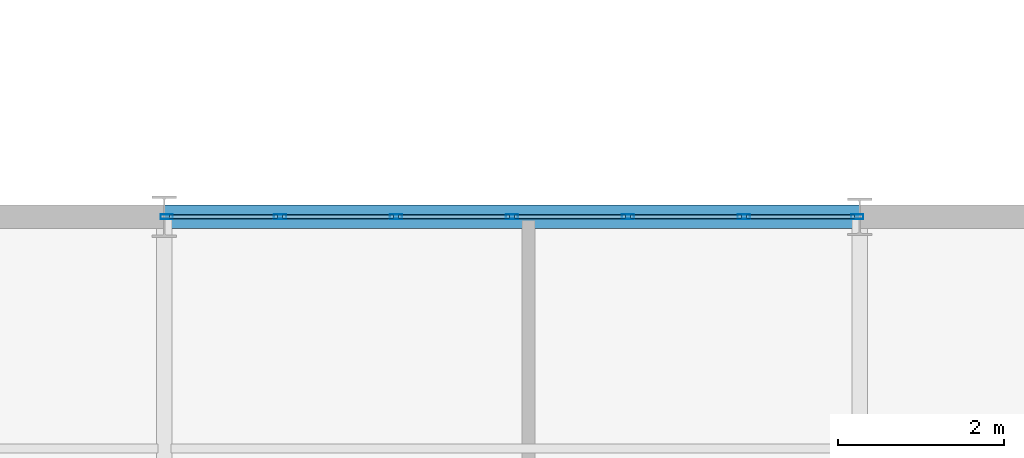
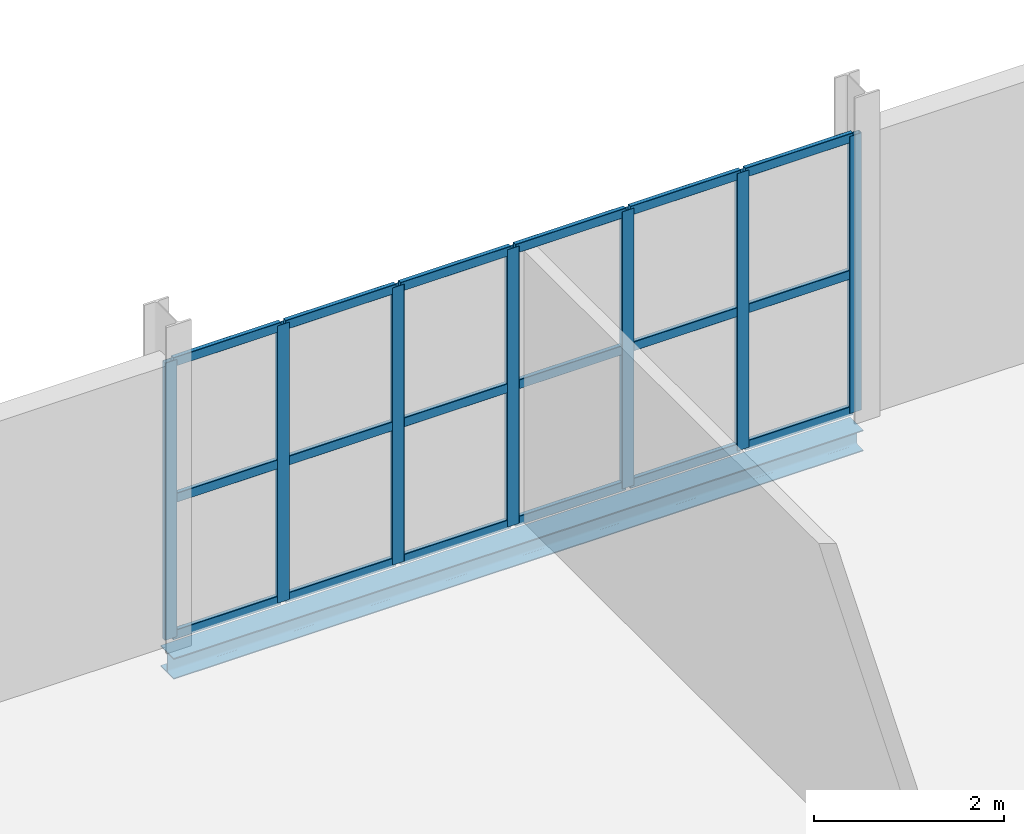
# One storey, part 29 of 65: 25 members, 1 beam, 1 element without a shape of its own.
"""IFC4 building model written with IfcOpenShell, lengths in metres."""

import ifcopenshell
import ifcopenshell.guid

model = None  # the IFC model being written
_history = None  # IfcOwnerHistory: only IFC2X3 demands one
_inside = {}  # id of a spatial element -> (the spatial element, [elements in it])
_under = {}  # id of a project, library or spatial element -> (it, [spatial elements below it])
_declared = {}  # id of a project -> (the project, [libraries it declares])
_typed = {}  # id of a type object -> (the type object, [elements of that type])
_made_of = {}  # id of a material, layer set ... -> (it, [elements and type objects made of it])


def new_model(schema):
    """Start an empty IFC model of exactly this schema.

    Asked for "IFC4X3", IfcOpenShell would pick the latest addendum, in which some entities
    have other attributes; the version numbers below select the first issue.
    IFC2X3 requires an IfcOwnerHistory on every rooted entity: one is made here for all.
    """
    global model, _history
    if schema == "IFC4X3":
        model = ifcopenshell.file(schema_version=(4, 3, 0, 0))
    else:
        model = ifcopenshell.file(schema=schema)
    _inside.clear()
    _under.clear()
    _declared.clear()
    _typed.clear()
    _made_of.clear()
    _history = None
    if model.schema == "IFC2X3":
        org = make("IfcOrganization", Name="unknown")
        user = make(
            "IfcPersonAndOrganization",
            ThePerson=make("IfcPerson", FamilyName="unknown"),
            TheOrganization=org,
        )
        app = make(
            "IfcApplication",
            ApplicationDeveloper=org,
            Version="unknown",
            ApplicationFullName="unknown",
            ApplicationIdentifier="unknown",
        )
        _history = make(
            "IfcOwnerHistory",
            OwningUser=user,
            OwningApplication=app,
            ChangeAction="ADDED",
            CreationDate=0,
        )
    return model


def make(cls, **values):
    """One entity of the class cls with the attributes given. An attribute that is None is left unset."""
    return model.create_entity(
        cls, **{name: value for name, value in values.items() if value is not None}
    )


def rooted(cls, **values):
    """An entity with a GlobalId (a new one), such as an element, a storey or a relation."""
    return make(cls, GlobalId=ifcopenshell.guid.new(), OwnerHistory=_history, **values)


def si_unit(unit_type, name, prefix=None):
    """IfcSIUnit, for example si_unit("LENGTHUNIT", "METRE", prefix="MILLI")."""
    return make("IfcSIUnit", UnitType=unit_type, Prefix=prefix, Name=name)


def assignment(units):
    """IfcUnitAssignment: the units of a project."""
    return None if units is None else make("IfcUnitAssignment", Units=units)


def point(xyz):
    """IfcCartesianPoint."""
    return None if xyz is None else make("IfcCartesianPoint", Coordinates=xyz)


def direction(xyz):
    """IfcDirection."""
    return None if xyz is None else make("IfcDirection", DirectionRatios=xyz)


def frame(location, z_axis=None, x_axis=None):
    """IfcAxis2Placement3D, a coordinate frame: its origin and axes. An axis left out is left unset."""
    return make(
        "IfcAxis2Placement3D",
        Location=point(location),
        Axis=direction(z_axis),
        RefDirection=direction(x_axis),
    )


def frame_2d(location, x_axis=None):
    """IfcAxis2Placement2D, a coordinate frame in the plane: its origin and x axis."""
    return make(
        "IfcAxis2Placement2D", Location=point(location), RefDirection=direction(x_axis)
    )


def origin():
    """The frame at (0, 0, 0) with its axes left unset."""
    return frame((0.0, 0.0, 0.0))


def origin_2d():
    """The frame at (0, 0) in the plane with its x axis left unset."""
    return frame_2d((0.0, 0.0))


def place(relative_to, where):
    """IfcLocalPlacement: puts the frame where relative to a parent placement (None: the world)."""
    return make(
        "IfcLocalPlacement", PlacementRelTo=relative_to, RelativePlacement=where
    )


def context(
    kind, dimensions, precision=None, world=None, true_north=None, identifier=None
):
    """IfcGeometricRepresentationContext, for example the 3D "Model" context."""
    return make(
        "IfcGeometricRepresentationContext",
        ContextIdentifier=identifier,
        ContextType=kind,
        CoordinateSpaceDimension=dimensions,
        Precision=precision,
        WorldCoordinateSystem=world,
        TrueNorth=true_north,
    )


def subcontext(parent, identifier, kind, view, scale=None):
    """IfcGeometricRepresentationSubContext, for example "Body" below "Model"."""
    return make(
        "IfcGeometricRepresentationSubContext",
        ContextIdentifier=identifier,
        ContextType=kind,
        ParentContext=parent,
        TargetScale=scale,
        TargetView=view,
    )


def project(units=None, contexts=None):
    """IfcProject with its units and contexts."""
    return rooted(
        "IfcProject",
        Name="project",
        RepresentationContexts=contexts,
        UnitsInContext=assignment(units),
    )


def spatial(cls, under=None, at=None, **own):
    """A site, building, storey or space (cls), placed at a placement, below another one or the project."""
    s = rooted(cls, ObjectPlacement=at, **own)
    if under is not None:
        _under.setdefault(under.id(), (under, []))[1].append(s)
    return s


def profile(cls, at=None, kind="AREA", **sizes):
    """A parametric profile (cls). Its sizes go by their IFC names, for example OverallWidth=200.0."""
    return make(cls, ProfileType=kind, Position=at, **sizes)


def hollow_rectangle(**sizes):
    """IfcRectangleHollowProfileDef."""
    return profile("IfcRectangleHollowProfileDef", **sizes)


def i_section(**sizes):
    """IfcIShapeProfileDef."""
    return profile("IfcIShapeProfileDef", **sizes)


def extrude(swept, where, along, depth):
    """IfcExtrudedAreaSolid: the profile swept, set in the frame where, extruded along a direction by depth."""
    return make(
        "IfcExtrudedAreaSolid",
        SweptArea=swept,
        Position=where,
        ExtrudedDirection=direction(along),
        Depth=depth,
    )


def shape(context_of_items, identifier, shape_type, items):
    """IfcShapeRepresentation: the items that make up one representation, for example the "Body"."""
    return make(
        "IfcShapeRepresentation",
        ContextOfItems=context_of_items,
        RepresentationIdentifier=identifier,
        RepresentationType=shape_type,
        Items=items,
    )


def material(Name=None, Category=None):
    """IfcMaterial."""
    return make("IfcMaterial", Name=Name, Category=Category)


def layer(
    of_material, thickness, ventilated=None, Name=None, Category=None, Priority=None
):
    """IfcMaterialLayer: one layer of a wall or slab, of a material (None: an air gap)."""
    return make(
        "IfcMaterialLayer",
        Material=of_material,
        LayerThickness=thickness,
        IsVentilated=ventilated,
        Name=Name,
        Category=Category,
        Priority=Priority,
    )


def layer_set(layers, Name=None):
    """IfcMaterialLayerSet."""
    return make("IfcMaterialLayerSet", MaterialLayers=layers, LayerSetName=Name)


def material_profile(
    of_material, cross_section, Name=None, Category=None, Priority=None
):
    """IfcMaterialProfile: a cross section and its material."""
    return make(
        "IfcMaterialProfile",
        Name=Name,
        Material=of_material,
        Profile=cross_section,
        Priority=Priority,
        Category=Category,
    )


def profile_set(profiles, Name=None, composite=None):
    """IfcMaterialProfileSet."""
    return make(
        "IfcMaterialProfileSet",
        Name=Name,
        MaterialProfiles=profiles,
        CompositeProfile=composite,
    )


def made_of(thing, what):
    """Note that an element or type object is made of a material, layer set ...; save() writes the relation."""
    if what is not None:
        _made_of.setdefault(what.id(), (what, []))[1].append(thing)
    return thing


def type_object(cls, material=None, **own):
    """A type object (cls), such as IfcWallType, which elements share."""
    return made_of(rooted(cls, **own), material)


def element(
    cls,
    number,
    at=None,
    inside=None,
    cuts=None,
    type_object=None,
    material=None,
    context=None,
    identifier="Body",
    shape_type=None,
    held_by="IfcProductDefinitionShape",
    body=None,
    shapes=None,
    **own,
):
    """One element of the class cls, such as IfcWall. Its Tag is "e" and its number.

    at: its placement. inside: the storey or other place that contains it. cuts: it is an
    opening in that element (IfcRelVoidsElement). A single representation is given by context,
    identifier, shape_type and body (its items); several are given by shapes. held_by: the class
    of the entity that holds the representations. save() writes the other relations.
    """
    e = rooted(cls, Tag="e%d" % number, ObjectPlacement=at, **own)
    if body is not None:
        shapes = [shape(context, identifier, shape_type, body)]
    if shapes is not None:
        e.Representation = make(held_by, Representations=shapes)
    if inside is not None:
        _inside.setdefault(inside.id(), (inside, []))[1].append(e)
    if cuts is not None:
        rooted(
            "IfcRelVoidsElement", RelatingBuildingElement=cuts, RelatedOpeningElement=e
        )
    if type_object is not None:
        _typed.setdefault(type_object.id(), (type_object, []))[1].append(e)
    return made_of(e, material)


def aggregate(whole, parts):
    """IfcRelAggregates: a whole, such as a stair, and the parts it consists of."""
    return rooted("IfcRelAggregates", RelatingObject=whole, RelatedObjects=parts)


def save(model, path):
    """Write the relations noted so far, then the file.

    IfcRelAggregates (storeys below a building ...), IfcRelContainedInSpatialStructure (elements
    in a storey), IfcRelDefinesByType, IfcRelAssociatesMaterial and IfcRelDeclares: one each for
    every whole, place, type object, material and project.
    """
    for whole, parts in _under.values():
        aggregate(whole, parts)
    for where, things in _inside.values():
        rooted(
            "IfcRelContainedInSpatialStructure",
            RelatedElements=things,
            RelatingStructure=where,
        )
    for kind, things in _typed.values():
        rooted("IfcRelDefinesByType", RelatedObjects=things, RelatingType=kind)
    for what, things in _made_of.values():
        rooted("IfcRelAssociatesMaterial", RelatedObjects=things, RelatingMaterial=what)
    for by, libraries in _declared.values():
        rooted("IfcRelDeclares", RelatingContext=by, RelatedDefinitions=libraries)
    model.write(path)


model = new_model("IFC4")

# Units and contexts
model_context = context("Model", 3, precision=1e-05, world=origin(), true_north=direction((0.0, 1.0)))
body_context = subcontext(model_context, "Body", "Model", "MODEL_VIEW")
ifc_project = project(units=[si_unit("LENGTHUNIT", "METRE"), si_unit("AREAUNIT", "SQUARE_METRE"), si_unit("VOLUMEUNIT", "CUBIC_METRE"), si_unit("PLANEANGLEUNIT", "RADIAN"), si_unit("MASSUNIT", "GRAM", prefix="KILO")], contexts=[model_context])

# Site, building, storey
site_placement = place(None, origin())
site = spatial("IfcSite", under=ifc_project, at=site_placement, CompositionType="ELEMENT")
building_placement = place(site_placement, origin())
building = spatial("IfcBuilding", under=site, at=building_placement, Name="Qalvenar Corner Mobility Hub", CompositionType="ELEMENT")
storey_placement = place(building_placement, frame((0.0, 0.0, 17.39990234375)))
storey = spatial("IfcBuildingStorey", under=building, at=storey_placement, Name="L04", CompositionType="ELEMENT", Elevation=17.39990234375)

# Beam
ifc_material_1 = material(Name="Steel S355", Category="steel")
ifc_material_profile_1 = material_profile(ifc_material_1, i_section(OverallWidth=0.280029296875, OverallDepth=0.27001953125, WebThickness=0.008056640625, FlangeThickness=0.012939453125, FilletRadius=0.02392578125, at=origin_2d()), Name="HEA280")
ifc_profile_set_1 = profile_set([ifc_material_profile_1], Name="Steel S355")
beam_type = type_object("IfcBeamType", Name="BM-SPN280", PredefinedType="SPANDREL", material=ifc_profile_set_1)
beam_placement = place(storey_placement, frame((33.60009765625, 42.0, -0.31494140625), z_axis=(1.0, 0.0, 0.0), x_axis=(0.0, 1.0, 0.0)))
element("IfcBeam", 1, at=beam_placement, inside=storey, type_object=beam_type, Name="Primary Steel Girder GX-2625", PredefinedType="SPANDREL", context=body_context, shape_type="SweptSolid", body=[
    extrude(i_section(OverallWidth=0.280029296875, OverallDepth=0.27001953125, WebThickness=0.008056640625, FlangeThickness=0.012939453125, FilletRadius=0.02392578125, at=origin_2d()), origin(), (0.0, 0.0, 1.0), 8.39990234375),
])

# Curtain wall, members
ifc_material_2 = material(Name="Anodised Aluminium and Low-E Glazing", Category="aluminium")
ifc_layer = layer(ifc_material_2, 0.14990234375)
ifc_layer_set = layer_set([ifc_layer], Name="Anodised Aluminium and Low-E Glazing")
curtain_wall_type = type_object("IfcCurtainWallType", Name="CW-CIV-84X40", PredefinedType="NOTDEFINED", material=ifc_layer_set)
curtain_wall_placement = place(storey_placement, origin())
curtain_wall = element("IfcCurtainWall", 2, at=curtain_wall_placement, inside=storey, type_object=curtain_wall_type, Name="Glazed Curtain Wall CW-V3-L04-N4", PredefinedType="NOTDEFINED")
ifc_material_3 = material(Name="Anodised Aluminium 6063-T6", Category="aluminium")
ifc_material_profile_2 = material_profile(ifc_material_3, hollow_rectangle(XDim=0.06005859375, YDim=0.14990234375, WallThickness=0.00390625, InnerFilletRadius=0.00390625, OuterFilletRadius=0.008056640625, at=origin_2d()), Name="RHS150x60x4")
ifc_profile_set_2 = profile_set([ifc_material_profile_2], Name="Anodised Aluminium 6063-T6")
member_type_1 = type_object("IfcMemberType", Name="CW-MUL150", PredefinedType="MULLION", material=ifc_profile_set_2)
member_1_placement = place(storey_placement, frame((41.969970703125, 42.0, 0.0), z_axis=(0.0, 0.0, 1.0), x_axis=(0.0, -1.0, 0.0)))
member_1 = element("IfcMember", 3, at=member_1_placement, type_object=member_type_1, Name="CW-05 mullion 1", PredefinedType="MULLION", context=body_context, shape_type="SweptSolid", body=[
    extrude(hollow_rectangle(XDim=0.06005859375, YDim=0.14990234375, WallThickness=0.00390625, InnerFilletRadius=0.00390625, OuterFilletRadius=0.008056640625, at=origin_2d()), origin(), (0.0, 0.0, 1.0), 3.570068359375),
])
member_2_placement = place(storey_placement, frame((40.60009765625, 42.0, 0.0), z_axis=(0.0, 0.0, 1.0), x_axis=(0.0, -1.0, 0.0)))
member_2 = element("IfcMember", 4, at=member_2_placement, type_object=member_type_1, Name="CW-05 mullion 2", PredefinedType="MULLION", context=body_context, shape_type="SweptSolid", body=[
    extrude(hollow_rectangle(XDim=0.06005859375, YDim=0.14990234375, WallThickness=0.00390625, InnerFilletRadius=0.00390625, OuterFilletRadius=0.008056640625, at=origin_2d()), origin(), (0.0, 0.0, 1.0), 3.570068359375),
])
member_3_placement = place(storey_placement, frame((39.199951171875, 42.0, 0.0), z_axis=(0.0, 0.0, 1.0), x_axis=(0.0, -1.0, 0.0)))
member_3 = element("IfcMember", 5, at=member_3_placement, type_object=member_type_1, Name="CW-05 mullion 3", PredefinedType="MULLION", context=body_context, shape_type="SweptSolid", body=[
    extrude(hollow_rectangle(XDim=0.06005859375, YDim=0.14990234375, WallThickness=0.00390625, InnerFilletRadius=0.00390625, OuterFilletRadius=0.008056640625, at=origin_2d()), origin(), (0.0, 0.0, 1.0), 3.570068359375),
])
member_4_placement = place(storey_placement, frame((37.800048828125, 42.0, 0.0), z_axis=(0.0, 0.0, 1.0), x_axis=(0.0, -1.0, 0.0)))
member_4 = element("IfcMember", 6, at=member_4_placement, type_object=member_type_1, Name="CW-05 mullion 4", PredefinedType="MULLION", context=body_context, shape_type="SweptSolid", body=[
    extrude(hollow_rectangle(XDim=0.06005859375, YDim=0.14990234375, WallThickness=0.00390625, InnerFilletRadius=0.00390625, OuterFilletRadius=0.008056640625, at=origin_2d()), origin(), (0.0, 0.0, 1.0), 3.570068359375),
])
member_5_placement = place(storey_placement, frame((36.39990234375, 42.0, 0.0), z_axis=(0.0, 0.0, 1.0), x_axis=(0.0, -1.0, 0.0)))
member_5 = element("IfcMember", 7, at=member_5_placement, type_object=member_type_1, Name="CW-05 mullion 5", PredefinedType="MULLION", context=body_context, shape_type="SweptSolid", body=[
    extrude(hollow_rectangle(XDim=0.06005859375, YDim=0.14990234375, WallThickness=0.00390625, InnerFilletRadius=0.00390625, OuterFilletRadius=0.008056640625, at=origin_2d()), origin(), (0.0, 0.0, 1.0), 3.570068359375),
])
member_6_placement = place(storey_placement, frame((35.0, 42.0, 0.0), z_axis=(0.0, 0.0, 1.0), x_axis=(0.0, -1.0, 0.0)))
member_6 = element("IfcMember", 8, at=member_6_placement, type_object=member_type_1, Name="CW-05 mullion 6", PredefinedType="MULLION", context=body_context, shape_type="SweptSolid", body=[
    extrude(hollow_rectangle(XDim=0.06005859375, YDim=0.14990234375, WallThickness=0.00390625, InnerFilletRadius=0.00390625, OuterFilletRadius=0.008056640625, at=origin_2d()), origin(), (0.0, 0.0, 1.0), 3.570068359375),
])
member_7_placement = place(storey_placement, frame((33.6298828125, 42.0, 0.0), z_axis=(0.0, 0.0, 1.0), x_axis=(0.0, -1.0, 0.0)))
member_7 = element("IfcMember", 9, at=member_7_placement, type_object=member_type_1, Name="CW-05 mullion 7", PredefinedType="MULLION", context=body_context, shape_type="SweptSolid", body=[
    extrude(hollow_rectangle(XDim=0.06005859375, YDim=0.14990234375, WallThickness=0.00390625, InnerFilletRadius=0.00390625, OuterFilletRadius=0.008056640625, at=origin_2d()), origin(), (0.0, 0.0, 1.0), 3.570068359375),
])
ifc_material_profile_3 = material_profile(ifc_material_3, hollow_rectangle(XDim=0.054931640625, YDim=0.1201171875, WallThickness=0.00341796875, InnerFilletRadius=0.00341796875, OuterFilletRadius=0.007080078125, at=origin_2d()), Name="RHS120x55x3.5")
ifc_profile_set_3 = profile_set([ifc_material_profile_3], Name="Anodised Aluminium 6063-T6")
member_type_2 = type_object("IfcMemberType", Name="CW-TRN120", PredefinedType="USERDEFINED", material=ifc_profile_set_3)
member_8_placement = place(storey_placement, frame((41.93994140625, 42.0, 0.027587890625), z_axis=(-1.0, 0.0, 0.0), x_axis=(0.0, -1.0, 0.0)))
member_8 = element("IfcMember", 10, at=member_8_placement, type_object=member_type_2, Name="CW-05 transom 1.1", ObjectType="TRANSOM", PredefinedType="USERDEFINED", context=body_context, shape_type="SweptSolid", body=[
    extrude(hollow_rectangle(XDim=0.054931640625, YDim=0.1201171875, WallThickness=0.00341796875, InnerFilletRadius=0.00341796875, OuterFilletRadius=0.007080078125, at=origin_2d()), origin(), (0.0, 0.0, 1.0), 1.31005859375),
])
member_9_placement = place(storey_placement, frame((41.93994140625, 42.0, 1.78515625), z_axis=(-1.0, 0.0, 0.0), x_axis=(0.0, -1.0, 0.0)))
member_9 = element("IfcMember", 11, at=member_9_placement, type_object=member_type_2, Name="CW-05 transom 1.2", ObjectType="TRANSOM", PredefinedType="USERDEFINED", context=body_context, shape_type="SweptSolid", body=[
    extrude(hollow_rectangle(XDim=0.054931640625, YDim=0.1201171875, WallThickness=0.00341796875, InnerFilletRadius=0.00341796875, OuterFilletRadius=0.007080078125, at=origin_2d()), origin(), (0.0, 0.0, 1.0), 1.31005859375),
])
member_10_placement = place(storey_placement, frame((41.93994140625, 42.0, 3.54248046875), z_axis=(-1.0, 0.0, 0.0), x_axis=(0.0, -1.0, 0.0)))
member_10 = element("IfcMember", 12, at=member_10_placement, type_object=member_type_2, Name="CW-05 transom 1.3", ObjectType="TRANSOM", PredefinedType="USERDEFINED", context=body_context, shape_type="SweptSolid", body=[
    extrude(hollow_rectangle(XDim=0.054931640625, YDim=0.1201171875, WallThickness=0.00341796875, InnerFilletRadius=0.00341796875, OuterFilletRadius=0.007080078125, at=origin_2d()), origin(), (0.0, 0.0, 1.0), 1.31005859375),
])
member_11_placement = place(storey_placement, frame((40.570068359375, 42.0, 0.027587890625), z_axis=(-1.0, 0.0, 0.0), x_axis=(0.0, -1.0, 0.0)))
member_11 = element("IfcMember", 13, at=member_11_placement, type_object=member_type_2, Name="CW-05 transom 2.1", ObjectType="TRANSOM", PredefinedType="USERDEFINED", context=body_context, shape_type="SweptSolid", body=[
    extrude(hollow_rectangle(XDim=0.054931640625, YDim=0.1201171875, WallThickness=0.00341796875, InnerFilletRadius=0.00341796875, OuterFilletRadius=0.007080078125, at=origin_2d()), origin(), (0.0, 0.0, 1.0), 1.340087890625),
])
member_12_placement = place(storey_placement, frame((40.570068359375, 42.0, 1.78515625), z_axis=(-1.0, 0.0, 0.0), x_axis=(0.0, -1.0, 0.0)))
member_12 = element("IfcMember", 14, at=member_12_placement, type_object=member_type_2, Name="CW-05 transom 2.2", ObjectType="TRANSOM", PredefinedType="USERDEFINED", context=body_context, shape_type="SweptSolid", body=[
    extrude(hollow_rectangle(XDim=0.054931640625, YDim=0.1201171875, WallThickness=0.00341796875, InnerFilletRadius=0.00341796875, OuterFilletRadius=0.007080078125, at=origin_2d()), origin(), (0.0, 0.0, 1.0), 1.340087890625),
])
member_13_placement = place(storey_placement, frame((40.570068359375, 42.0, 3.54248046875), z_axis=(-1.0, 0.0, 0.0), x_axis=(0.0, -1.0, 0.0)))
member_13 = element("IfcMember", 15, at=member_13_placement, type_object=member_type_2, Name="CW-05 transom 2.3", ObjectType="TRANSOM", PredefinedType="USERDEFINED", context=body_context, shape_type="SweptSolid", body=[
    extrude(hollow_rectangle(XDim=0.054931640625, YDim=0.1201171875, WallThickness=0.00341796875, InnerFilletRadius=0.00341796875, OuterFilletRadius=0.007080078125, at=origin_2d()), origin(), (0.0, 0.0, 1.0), 1.340087890625),
])
member_14_placement = place(storey_placement, frame((39.169921875, 42.0, 0.027587890625), z_axis=(-1.0, 0.0, 0.0), x_axis=(0.0, -1.0, 0.0)))
member_14 = element("IfcMember", 16, at=member_14_placement, type_object=member_type_2, Name="CW-05 transom 3.1", ObjectType="TRANSOM", PredefinedType="USERDEFINED", context=body_context, shape_type="SweptSolid", body=[
    extrude(hollow_rectangle(XDim=0.054931640625, YDim=0.1201171875, WallThickness=0.00341796875, InnerFilletRadius=0.00341796875, OuterFilletRadius=0.007080078125, at=origin_2d()), origin(), (0.0, 0.0, 1.0), 1.33984375),
])
member_15_placement = place(storey_placement, frame((39.169921875, 42.0, 1.78515625), z_axis=(-1.0, 0.0, 0.0), x_axis=(0.0, -1.0, 0.0)))
member_15 = element("IfcMember", 17, at=member_15_placement, type_object=member_type_2, Name="CW-05 transom 3.2", ObjectType="TRANSOM", PredefinedType="USERDEFINED", context=body_context, shape_type="SweptSolid", body=[
    extrude(hollow_rectangle(XDim=0.054931640625, YDim=0.1201171875, WallThickness=0.00341796875, InnerFilletRadius=0.00341796875, OuterFilletRadius=0.007080078125, at=origin_2d()), origin(), (0.0, 0.0, 1.0), 1.33984375),
])
member_16_placement = place(storey_placement, frame((39.169921875, 42.0, 3.54248046875), z_axis=(-1.0, 0.0, 0.0), x_axis=(0.0, -1.0, 0.0)))
member_16 = element("IfcMember", 18, at=member_16_placement, type_object=member_type_2, Name="CW-05 transom 3.3", ObjectType="TRANSOM", PredefinedType="USERDEFINED", context=body_context, shape_type="SweptSolid", body=[
    extrude(hollow_rectangle(XDim=0.054931640625, YDim=0.1201171875, WallThickness=0.00341796875, InnerFilletRadius=0.00341796875, OuterFilletRadius=0.007080078125, at=origin_2d()), origin(), (0.0, 0.0, 1.0), 1.33984375),
])
member_17_placement = place(storey_placement, frame((37.77001953125, 42.0, 0.027587890625), z_axis=(-1.0, 0.0, 0.0), x_axis=(0.0, -1.0, 0.0)))
member_17 = element("IfcMember", 19, at=member_17_placement, type_object=member_type_2, Name="CW-05 transom 4.1", ObjectType="TRANSOM", PredefinedType="USERDEFINED", context=body_context, shape_type="SweptSolid", body=[
    extrude(hollow_rectangle(XDim=0.054931640625, YDim=0.1201171875, WallThickness=0.00341796875, InnerFilletRadius=0.00341796875, OuterFilletRadius=0.007080078125, at=origin_2d()), origin(), (0.0, 0.0, 1.0), 1.340087890625),
])
member_18_placement = place(storey_placement, frame((37.77001953125, 42.0, 1.78515625), z_axis=(-1.0, 0.0, 0.0), x_axis=(0.0, -1.0, 0.0)))
member_18 = element("IfcMember", 20, at=member_18_placement, type_object=member_type_2, Name="CW-05 transom 4.2", ObjectType="TRANSOM", PredefinedType="USERDEFINED", context=body_context, shape_type="SweptSolid", body=[
    extrude(hollow_rectangle(XDim=0.054931640625, YDim=0.1201171875, WallThickness=0.00341796875, InnerFilletRadius=0.00341796875, OuterFilletRadius=0.007080078125, at=origin_2d()), origin(), (0.0, 0.0, 1.0), 1.340087890625),
])
member_19_placement = place(storey_placement, frame((37.77001953125, 42.0, 3.54248046875), z_axis=(-1.0, 0.0, 0.0), x_axis=(0.0, -1.0, 0.0)))
member_19 = element("IfcMember", 21, at=member_19_placement, type_object=member_type_2, Name="CW-05 transom 4.3", ObjectType="TRANSOM", PredefinedType="USERDEFINED", context=body_context, shape_type="SweptSolid", body=[
    extrude(hollow_rectangle(XDim=0.054931640625, YDim=0.1201171875, WallThickness=0.00341796875, InnerFilletRadius=0.00341796875, OuterFilletRadius=0.007080078125, at=origin_2d()), origin(), (0.0, 0.0, 1.0), 1.340087890625),
])
member_20_placement = place(storey_placement, frame((36.3701171875, 42.0, 0.027587890625), z_axis=(-1.0, 0.0, 0.0), x_axis=(0.0, -1.0, 0.0)))
member_20 = element("IfcMember", 22, at=member_20_placement, type_object=member_type_2, Name="CW-05 transom 5.1", ObjectType="TRANSOM", PredefinedType="USERDEFINED", context=body_context, shape_type="SweptSolid", body=[
    extrude(hollow_rectangle(XDim=0.054931640625, YDim=0.1201171875, WallThickness=0.00341796875, InnerFilletRadius=0.00341796875, OuterFilletRadius=0.007080078125, at=origin_2d()), origin(), (0.0, 0.0, 1.0), 1.340087890625),
])
member_21_placement = place(storey_placement, frame((36.3701171875, 42.0, 1.78515625), z_axis=(-1.0, 0.0, 0.0), x_axis=(0.0, -1.0, 0.0)))
member_21 = element("IfcMember", 23, at=member_21_placement, type_object=member_type_2, Name="CW-05 transom 5.2", ObjectType="TRANSOM", PredefinedType="USERDEFINED", context=body_context, shape_type="SweptSolid", body=[
    extrude(hollow_rectangle(XDim=0.054931640625, YDim=0.1201171875, WallThickness=0.00341796875, InnerFilletRadius=0.00341796875, OuterFilletRadius=0.007080078125, at=origin_2d()), origin(), (0.0, 0.0, 1.0), 1.340087890625),
])
member_22_placement = place(storey_placement, frame((36.3701171875, 42.0, 3.54248046875), z_axis=(-1.0, 0.0, 0.0), x_axis=(0.0, -1.0, 0.0)))
member_22 = element("IfcMember", 24, at=member_22_placement, type_object=member_type_2, Name="CW-05 transom 5.3", ObjectType="TRANSOM", PredefinedType="USERDEFINED", context=body_context, shape_type="SweptSolid", body=[
    extrude(hollow_rectangle(XDim=0.054931640625, YDim=0.1201171875, WallThickness=0.00341796875, InnerFilletRadius=0.00341796875, OuterFilletRadius=0.007080078125, at=origin_2d()), origin(), (0.0, 0.0, 1.0), 1.340087890625),
])
member_23_placement = place(storey_placement, frame((34.969970703125, 42.0, 0.027587890625), z_axis=(-1.0, 0.0, 0.0), x_axis=(0.0, -1.0, 0.0)))
member_23 = element("IfcMember", 25, at=member_23_placement, type_object=member_type_2, Name="CW-05 transom 6.1", ObjectType="TRANSOM", PredefinedType="USERDEFINED", context=body_context, shape_type="SweptSolid", body=[
    extrude(hollow_rectangle(XDim=0.054931640625, YDim=0.1201171875, WallThickness=0.00341796875, InnerFilletRadius=0.00341796875, OuterFilletRadius=0.007080078125, at=origin_2d()), origin(), (0.0, 0.0, 1.0), 1.31005859375),
])
member_24_placement = place(storey_placement, frame((34.969970703125, 42.0, 1.78515625), z_axis=(-1.0, 0.0, 0.0), x_axis=(0.0, -1.0, 0.0)))
member_24 = element("IfcMember", 26, at=member_24_placement, type_object=member_type_2, Name="CW-05 transom 6.2", ObjectType="TRANSOM", PredefinedType="USERDEFINED", context=body_context, shape_type="SweptSolid", body=[
    extrude(hollow_rectangle(XDim=0.054931640625, YDim=0.1201171875, WallThickness=0.00341796875, InnerFilletRadius=0.00341796875, OuterFilletRadius=0.007080078125, at=origin_2d()), origin(), (0.0, 0.0, 1.0), 1.31005859375),
])
member_25_placement = place(storey_placement, frame((34.969970703125, 42.0, 3.54248046875), z_axis=(-1.0, 0.0, 0.0), x_axis=(0.0, -1.0, 0.0)))
member_25 = element("IfcMember", 27, at=member_25_placement, type_object=member_type_2, Name="CW-05 transom 6.3", ObjectType="TRANSOM", PredefinedType="USERDEFINED", context=body_context, shape_type="SweptSolid", body=[
    extrude(hollow_rectangle(XDim=0.054931640625, YDim=0.1201171875, WallThickness=0.00341796875, InnerFilletRadius=0.00341796875, OuterFilletRadius=0.007080078125, at=origin_2d()), origin(), (0.0, 0.0, 1.0), 1.31005859375),
])
aggregate(curtain_wall, [member_1, member_2, member_3, member_4, member_5, member_6, member_7, member_8, member_9, member_10, member_11, member_12, member_13, member_14, member_15, member_16, member_17, member_18, member_19, member_20, member_21, member_22, member_23, member_24, member_25])

save(model, "model.ifc")
